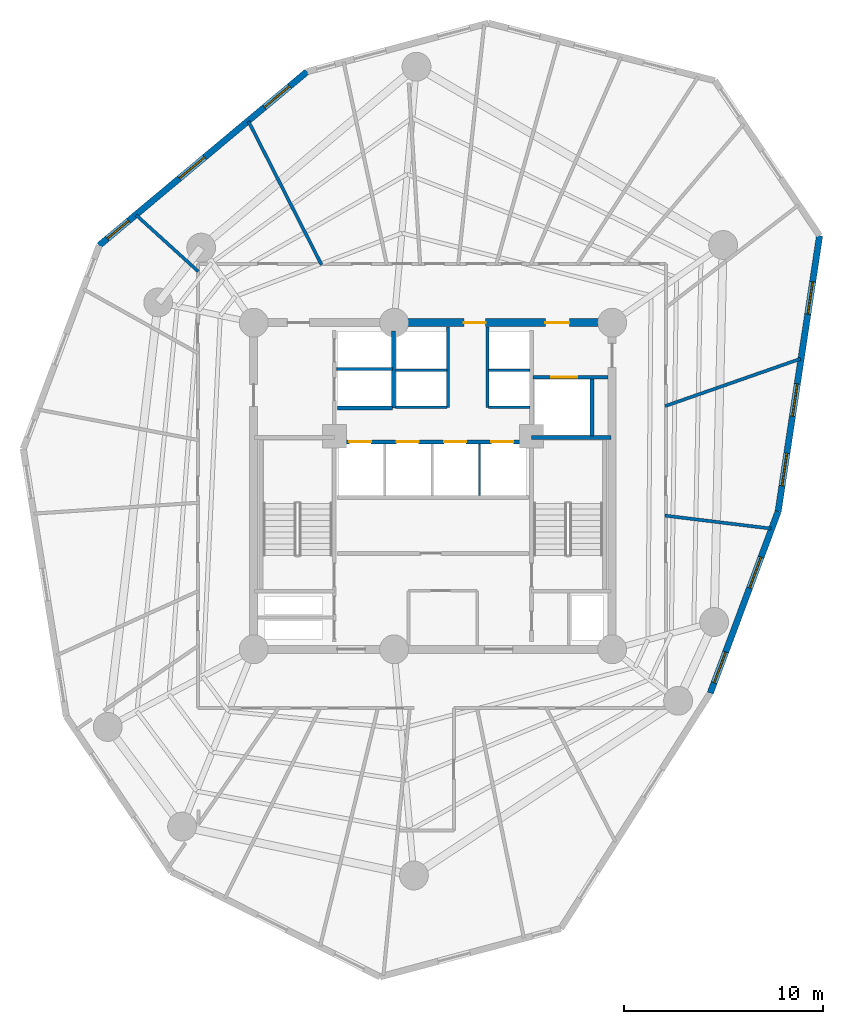
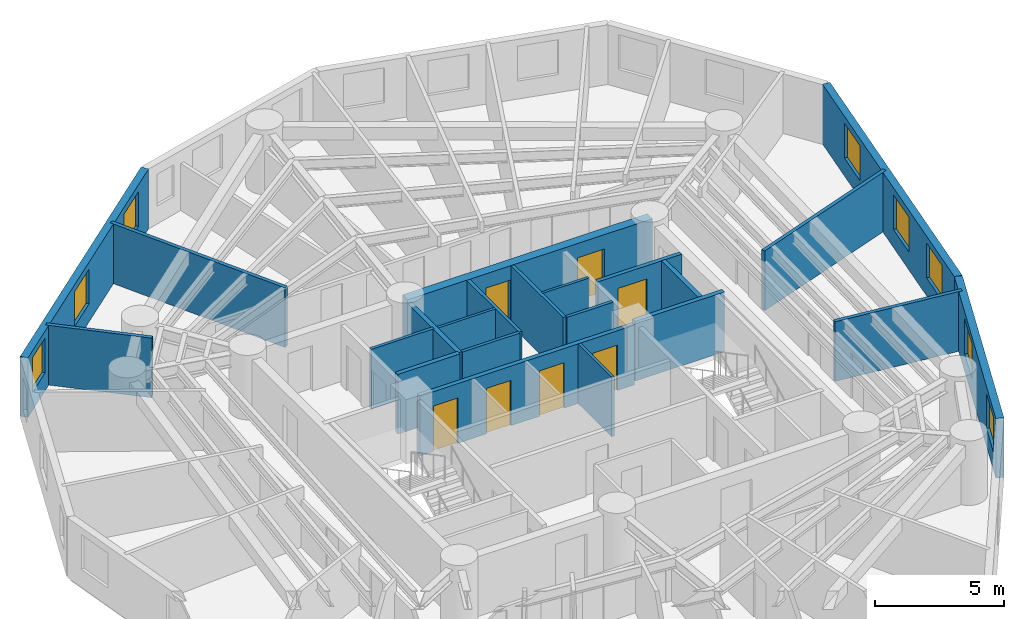
# One storey, part 5 of 7: 22 walls, 8 windows, 7 doors, 15 openings.
"""IFC4 building model written with IfcOpenShell, lengths in metres."""

from ifc_helpers import new_model, si_unit, direction, frame, frame_2d, origin, origin_with_axes, place, context, subcontext, project, spatial, rectangle, extrude, source, transform, mapped, material, layer, layer_set, type_object, element, fill, save


model = new_model("IFC4")

# Units and contexts
model_context = context("Model", 3, precision=1e-05, world=origin(), true_north=direction((0.0, 1.0)))
body_context = subcontext(model_context, "Body", "Model", "MODEL_VIEW")
ifc_project = project(units=[si_unit("LENGTHUNIT", "METRE"), si_unit("AREAUNIT", "SQUARE_METRE"), si_unit("VOLUMEUNIT", "CUBIC_METRE"), si_unit("PLANEANGLEUNIT", "RADIAN"), si_unit("MASSUNIT", "GRAM", prefix="KILO")], contexts=[model_context])

# Site, building, storey
site_placement = place(None, origin())
site = spatial("IfcSite", under=ifc_project, at=site_placement, CompositionType="ELEMENT")
building_placement = place(site_placement, origin())
building = spatial("IfcBuilding", under=site, at=building_placement, Name="Karkom Vertical University and Central Library", CompositionType="ELEMENT")
storey_placement = place(building_placement, frame((0.0, 0.0, 135.85009765625)))
storey = spatial("IfcBuildingStorey", under=building, at=storey_placement, Name="L38", CompositionType="ELEMENT", Elevation=135.85009765625)

# Wall, openings, windows
ifc_material_1 = material(Name="Brick-faced precast concrete C45/55", Category="masonry")
ifc_layer_1 = layer(ifc_material_1, 0.320068359375)
ifc_layer_set_1 = layer_set([ifc_layer_1], Name="Brick-faced precast concrete C45/55")
wall_type_1 = type_object("IfcWallType", Name="ENV-WL-BRK-320", PredefinedType="SOLIDWALL", material=ifc_layer_set_1)
wall_1_placement = place(storey_placement, frame((42.4287109375, 16.102294921875, 0.0), z_axis=(0.0, 0.0, 1.0), x_axis=(0.349878020964, 0.936795266025, 0.0)))
wall_1 = element("IfcWall", 1, at=wall_1_placement, inside=storey, type_object=wall_type_1, Name="Level 38 Brick-Faced Precast Facade Wall 07", PredefinedType="SOLIDWALL", context=body_context, shape_type="SweptSolid", body=[
    extrude(rectangle(XDim=9.734130859375, YDim=0.320068359375, at=frame_2d((4.8671875, 0.0))), origin(), (0.0, 0.0, 1.0), 2.824951171875),
])
opening_1_placement = place(wall_1_placement, frame((0.555419921875, 0.0, 0.85009765625)))
opening_1 = element("IfcOpeningElement", 2, at=opening_1_placement, cuts=wall_1, Name="Opening WN-06", PredefinedType="OPENING", context=body_context, shape_type="SweptSolid", body=[
    extrude(rectangle(XDim=1.64990234375, YDim=1.64990234375, at=frame_2d((0.824951171875, 0.824951171875))), frame((0.0, 0.169921875, 0.0), z_axis=(0.0, -1.0, 0.0), x_axis=(1.0, 0.0, 0.0)), (0.0, 0.0, 1.0), 0.340087890625),
])
opening_2_placement = place(wall_1_placement, frame((5.634033203125, 0.0, 0.85009765625)))
opening_2 = element("IfcOpeningElement", 3, at=opening_2_placement, cuts=wall_1, Name="Opening WN-06", PredefinedType="OPENING", context=body_context, shape_type="SweptSolid", body=[
    extrude(rectangle(XDim=1.64990234375, YDim=1.64990234375, at=frame_2d((0.824951171875, 0.824951171875))), frame((0.0, 0.169921875, 0.0), z_axis=(0.0, -1.0, 0.0), x_axis=(1.0, 0.0, 0.0)), (0.0, 0.0, 1.0), 0.340087890625),
])
ifc_material_2 = material(Name="Aluminium thermal-break frame with solar-control IGU", Category="aluminium")
window_type_1 = type_object("IfcWindowType", Name="ENV-WIN-WN-06", PartitioningType="SINGLE_PANEL", PredefinedType="WINDOW", material=ifc_material_2)
shared_shape_1 = source(origin_with_axes(), body_context, "Body", "SweptSolid", [
    extrude(rectangle(XDim=1.64990234375, YDim=1.64990234375, at=frame_2d((0.824951171875, 0.824951171875))), frame((0.0, 0.030029296875, 0.0), z_axis=(0.0, -1.0, 0.0), x_axis=(1.0, 0.0, 0.0)), (0.0, 0.0, 1.0), 0.06005859375),
])
window_1_placement = place(opening_1_placement, origin())
window_1 = element("IfcWindow", 4, at=window_1_placement, inside=storey, type_object=window_type_1, Name="Level 38 Punched Window 7.1", OverallHeight=1.64990234375, OverallWidth=1.64990234375, PartitioningType="SINGLE_PANEL", PredefinedType="WINDOW", context=body_context, shape_type="MappedRepresentation", body=[
    mapped(shared_shape_1, transform((0.0, 0.0, 0.0), scale=1.0)),
])
fill(opening_1, window_1)
window_2_placement = place(opening_2_placement, origin())
window_2 = element("IfcWindow", 5, at=window_2_placement, inside=storey, type_object=window_type_1, Name="Level 38 Punched Window 7.2", OverallHeight=1.64990234375, OverallWidth=1.64990234375, PartitioningType="SINGLE_PANEL", PredefinedType="WINDOW", context=body_context, shape_type="MappedRepresentation", body=[
    mapped(shared_shape_1, transform((0.0, 0.0, 0.0), scale=1.0)),
])
fill(opening_2, window_2)

wall_2_placement = place(storey_placement, frame((45.83447265625, 25.22119140625, 0.0), z_axis=(0.0, 0.0, 1.0), x_axis=(0.148592768658, 0.988898472596, 0.0)))
wall_2 = element("IfcWall", 6, at=wall_2_placement, inside=storey, type_object=wall_type_1, Name="Level 38 Brick-Faced Precast Facade Wall 08", PredefinedType="SOLIDWALL", context=body_context, shape_type="SweptSolid", body=[
    extrude(rectangle(XDim=14.005126953125, YDim=0.320068359375, at=frame_2d((7.00244140625, 0.0))), origin(), (0.0, 0.0, 1.0), 2.824951171875),
])
opening_3_placement = place(wall_2_placement, frame((1.312255859375, 0.0, 0.85009765625)))
opening_3 = element("IfcOpeningElement", 7, at=opening_3_placement, cuts=wall_2, Name="Opening WN-06", PredefinedType="OPENING", context=body_context, shape_type="SweptSolid", body=[
    extrude(rectangle(XDim=1.64990234375, YDim=1.64990234375, at=frame_2d((0.824951171875, 0.824951171875))), frame((0.0, 0.169921875, 0.0), z_axis=(0.0, -1.0, 0.0), x_axis=(1.0, 0.0, 0.0)), (0.0, 0.0, 1.0), 0.340087890625),
])
opening_4_placement = place(wall_2_placement, frame((4.826904296875, 0.0, 0.85009765625)))
opening_4 = element("IfcOpeningElement", 8, at=opening_4_placement, cuts=wall_2, Name="Opening WN-06", PredefinedType="OPENING", context=body_context, shape_type="SweptSolid", body=[
    extrude(rectangle(XDim=1.64990234375, YDim=1.64990234375, at=frame_2d((0.824951171875, 0.824951171875))), frame((0.0, 0.169921875, 0.0), z_axis=(0.0, -1.0, 0.0), x_axis=(1.0, 0.0, 0.0)), (0.0, 0.0, 1.0), 0.340087890625),
])
opening_5_placement = place(wall_2_placement, frame((10.01220703125, 0.0, 0.85009765625)))
opening_5 = element("IfcOpeningElement", 9, at=opening_5_placement, cuts=wall_2, Name="Opening WN-06", PredefinedType="OPENING", context=body_context, shape_type="SweptSolid", body=[
    extrude(rectangle(XDim=1.64990234375, YDim=1.64990234375, at=frame_2d((0.824951171875, 0.824951171875))), frame((0.0, 0.169921875, 0.0), z_axis=(0.0, -1.0, 0.0), x_axis=(1.0, 0.0, 0.0)), (0.0, 0.0, 1.0), 0.340087890625),
])
window_3_placement = place(opening_3_placement, origin())
window_3 = element("IfcWindow", 10, at=window_3_placement, inside=storey, type_object=window_type_1, Name="Level 38 Punched Window 8.1", OverallHeight=1.64990234375, OverallWidth=1.64990234375, PartitioningType="SINGLE_PANEL", PredefinedType="WINDOW", context=body_context, shape_type="MappedRepresentation", body=[
    mapped(shared_shape_1, transform((0.0, 0.0, 0.0), scale=1.0)),
])
fill(opening_3, window_3)
window_4_placement = place(opening_4_placement, origin())
window_4 = element("IfcWindow", 11, at=window_4_placement, inside=storey, type_object=window_type_1, Name="Level 38 Punched Window 8.2", OverallHeight=1.64990234375, OverallWidth=1.64990234375, PartitioningType="SINGLE_PANEL", PredefinedType="WINDOW", context=body_context, shape_type="MappedRepresentation", body=[
    mapped(shared_shape_1, transform((0.0, 0.0, 0.0), scale=1.0)),
])
fill(opening_4, window_4)
window_5_placement = place(opening_5_placement, origin())
window_5 = element("IfcWindow", 12, at=window_5_placement, inside=storey, type_object=window_type_1, Name="Level 38 Punched Window 8.3", OverallHeight=1.64990234375, OverallWidth=1.64990234375, PartitioningType="SINGLE_PANEL", PredefinedType="WINDOW", context=body_context, shape_type="MappedRepresentation", body=[
    mapped(shared_shape_1, transform((0.0, 0.0, 0.0), scale=1.0)),
])
fill(opening_5, window_5)

wall_3_placement = place(storey_placement, frame((22.18212890625, 47.308349609375, 0.0), z_axis=(0.0, 0.0, 1.0), x_axis=(-0.767264774206, -0.641330465722, 0.0)))
wall_3 = element("IfcWall", 13, at=wall_3_placement, inside=storey, type_object=wall_type_1, Name="Level 38 Brick-Faced Precast Facade Wall 12", PredefinedType="SOLIDWALL", context=body_context, shape_type="SweptSolid", body=[
    extrude(rectangle(XDim=13.611083984375, YDim=0.320068359375, at=frame_2d((6.8056640625, 0.0))), origin(), (0.0, 0.0, 1.0), 2.824951171875),
])
opening_6_placement = place(wall_3_placement, frame((1.13916015625, 0.0, 0.85009765625)))
opening_6 = element("IfcOpeningElement", 14, at=opening_6_placement, cuts=wall_3, Name="Opening WN-06", PredefinedType="OPENING", context=body_context, shape_type="SweptSolid", body=[
    extrude(rectangle(XDim=1.64990234375, YDim=1.64990234375, at=frame_2d((0.824951171875, 0.824951171875))), frame((0.0, 0.169921875, 0.0), z_axis=(0.0, -1.0, 0.0), x_axis=(1.0, 0.0, 0.0)), (0.0, 0.0, 1.0), 0.340087890625),
])
opening_7_placement = place(wall_3_placement, frame((6.710205078125, 0.0, 0.85009765625)))
opening_7 = element("IfcOpeningElement", 15, at=opening_7_placement, cuts=wall_3, Name="Opening WN-06", PredefinedType="OPENING", context=body_context, shape_type="SweptSolid", body=[
    extrude(rectangle(XDim=1.64990234375, YDim=1.64990234375, at=frame_2d((0.824951171875, 0.824951171875))), frame((0.0, 0.169921875, 0.0), z_axis=(0.0, -1.0, 0.0), x_axis=(1.0, 0.0, 0.0)), (0.0, 0.0, 1.0), 0.340087890625),
])
opening_8_placement = place(wall_3_placement, frame((11.676513671875, 0.0, 0.85009765625)))
opening_8 = element("IfcOpeningElement", 16, at=opening_8_placement, cuts=wall_3, Name="Opening WN-07", PredefinedType="OPENING", context=body_context, shape_type="SweptSolid", body=[
    extrude(rectangle(XDim=1.39990234375, YDim=1.64990234375, at=frame_2d((0.699951171875, 0.824951171875))), frame((0.0, 0.169921875, 0.0), z_axis=(0.0, -1.0, 0.0), x_axis=(1.0, 0.0, 0.0)), (0.0, 0.0, 1.0), 0.340087890625),
])
window_6_placement = place(opening_6_placement, origin())
window_6 = element("IfcWindow", 17, at=window_6_placement, inside=storey, type_object=window_type_1, Name="Level 38 Punched Window 12.1", OverallHeight=1.64990234375, OverallWidth=1.64990234375, PartitioningType="SINGLE_PANEL", PredefinedType="WINDOW", context=body_context, shape_type="MappedRepresentation", body=[
    mapped(shared_shape_1, transform((0.0, 0.0, 0.0), scale=1.0)),
])
fill(opening_6, window_6)
window_7_placement = place(opening_7_placement, origin())
window_7 = element("IfcWindow", 18, at=window_7_placement, inside=storey, type_object=window_type_1, Name="Level 38 Punched Window 12.2", OverallHeight=1.64990234375, OverallWidth=1.64990234375, PartitioningType="SINGLE_PANEL", PredefinedType="WINDOW", context=body_context, shape_type="MappedRepresentation", body=[
    mapped(shared_shape_1, transform((0.0, 0.0, 0.0), scale=1.0)),
])
fill(opening_7, window_7)
window_type_2 = type_object("IfcWindowType", Name="ENV-WIN-WN-07", PartitioningType="SINGLE_PANEL", PredefinedType="WINDOW", material=ifc_material_2)
shared_shape_2 = source(origin_with_axes(), body_context, "Body", "SweptSolid", [
    extrude(rectangle(XDim=1.39990234375, YDim=1.64990234375, at=frame_2d((0.699951171875, 0.824951171875))), frame((0.0, 0.030029296875, 0.0), z_axis=(0.0, -1.0, 0.0), x_axis=(1.0, 0.0, 0.0)), (0.0, 0.0, 1.0), 0.06005859375),
])
window_8_placement = place(opening_8_placement, origin())
window_8 = element("IfcWindow", 19, at=window_8_placement, inside=storey, type_object=window_type_2, Name="Level 38 Punched Window 12.3", OverallHeight=1.64990234375, OverallWidth=1.39990234375, PartitioningType="SINGLE_PANEL", PredefinedType="WINDOW", context=body_context, shape_type="MappedRepresentation", body=[
    mapped(shared_shape_2, transform((0.0, 0.0, 0.0), scale=1.0)),
])
fill(opening_8, window_8)

# Walls
ifc_material_3 = material(Name="Insulated metal-stud drywall 160mm", Category="gypsum")
ifc_layer_2 = layer(ifc_material_3, 0.159912109375)
ifc_layer_set_2 = layer_set([ifc_layer_2], Name="Insulated metal-stud drywall 160mm")
wall_type_2 = type_object("IfcWallType", Name="INT-WL-COR-160", PredefinedType="PARTITIONING", material=ifc_layer_set_2)
wall_4_placement = place(storey_placement, frame((22.906494140625, 37.60986328125, 0.0), z_axis=(0.0, 0.0, 1.0), x_axis=(-0.453966502596, 0.891018750937, 0.0)))
element("IfcWall", 20, at=wall_4_placement, inside=storey, type_object=wall_type_2, Name="Level 38 Interior Partition Wall L38-PW-024", PredefinedType="PARTITIONING", context=body_context, shape_type="SweptSolid", body=[
    extrude(rectangle(XDim=8.0830078125, YDim=0.159912109375, at=frame_2d((4.04150390625, 0.0))), origin(), (0.0, 0.0, 1.0), 2.824951171875),
])
wall_5_placement = place(storey_placement, frame((40.157470703125, 30.5107421875, 0.0), z_axis=(0.0, 0.0, 1.0), x_axis=(0.94400207615, 0.329939509946, 0.0)))
element("IfcWall", 21, at=wall_5_placement, inside=storey, type_object=wall_type_2, Name="Level 38 Interior Partition Wall L38-PW-014", PredefinedType="PARTITIONING", context=body_context, shape_type="SweptSolid", body=[
    extrude(rectangle(XDim=7.198974609375, YDim=0.159912109375, at=frame_2d((3.599609375, 0.0))), origin(), (0.0, 0.0, 1.0), 2.824951171875),
])
wall_6_placement = place(storey_placement, frame((40.1552734375, 25.012939453125, 0.0), z_axis=(0.0, 0.0, 1.0), x_axis=(0.992591537603, -0.121499133651, 0.0)))
element("IfcWall", 22, at=wall_6_placement, inside=storey, type_object=wall_type_2, Name="Level 38 Interior Partition Wall L38-PW-013", PredefinedType="PARTITIONING", context=body_context, shape_type="SweptSolid", body=[
    extrude(rectangle(XDim=5.369140625, YDim=0.159912109375, at=frame_2d((2.6845703125, 0.0))), origin(), (0.0, 0.0, 1.0), 2.824951171875),
])
wall_7_placement = place(storey_placement, frame((16.72216796875, 37.268310546875, 0.0), z_axis=(0.0, 0.0, 1.0), x_axis=(-0.740555502335, 0.671995199359, 0.0)))
element("IfcWall", 23, at=wall_7_placement, inside=storey, type_object=wall_type_2, Name="Level 38 Interior Partition Wall L38-PW-025", PredefinedType="PARTITIONING", context=body_context, shape_type="SweptSolid", body=[
    extrude(rectangle(XDim=4.216064453125, YDim=0.159912109375, at=frame_2d((2.10791015625, 0.0))), origin(), (0.0, 0.0, 1.0), 2.824951171875),
])
ifc_material_4 = material(Name="Moisture-resistant drywall 120mm", Category="gypsum")
ifc_layer_3 = layer(ifc_material_4, 0.1201171875)
ifc_layer_set_3 = layer_set([ifc_layer_3], Name="Moisture-resistant drywall 120mm")
wall_type_3 = type_object("IfcWallType", Name="INT-WL-INT-120H", PredefinedType="PARTITIONING", material=ifc_layer_set_3)
wall_8_placement = place(storey_placement, frame((30.840087890625, 26.02001953125, 0.0), z_axis=(0.0, 0.0, 1.0), x_axis=(0.0, 1.0, 0.0)))
element("IfcWall", 24, at=wall_8_placement, inside=storey, type_object=wall_type_3, Name="Level 38 Interior Partition Wall L38-CW-PM-DIV3", PredefinedType="PARTITIONING", context=body_context, shape_type="SweptSolid", body=[
    extrude(rectangle(XDim=2.60009765625, YDim=0.1201171875, at=frame_2d((1.300048828125, 0.0))), origin(), (0.0, 0.0, 1.0), 2.824951171875),
])
wall_9_placement = place(storey_placement, frame((26.6201171875, 32.320068359375, 0.0), z_axis=(0.0, 0.0, 1.0), x_axis=(1.0, 0.0, 0.0)))
element("IfcWall", 25, at=wall_9_placement, inside=storey, type_object=wall_type_3, Name="Level 38 Interior Partition Wall L38-CW-PH-MW", PredefinedType="PARTITIONING", context=body_context, shape_type="SweptSolid", body=[
    extrude(rectangle(XDim=2.579833984375, YDim=0.1201171875, at=frame_2d((1.2900390625, 0.0))), origin(), (0.0, 0.0, 1.0), 2.824951171875),
])
wall_10_placement = place(storey_placement, frame((31.300048828125, 32.320068359375, 0.0), z_axis=(0.0, 0.0, 1.0), x_axis=(1.0, 0.0, 0.0)))
element("IfcWall", 26, at=wall_10_placement, inside=storey, type_object=wall_type_3, Name="Level 38 Interior Partition Wall L38-CW-PH-ME", PredefinedType="PARTITIONING", context=body_context, shape_type="SweptSolid", body=[
    extrude(rectangle(XDim=2.074951171875, YDim=0.1201171875, at=frame_2d((1.03759765625, 0.0))), origin(), (0.0, 0.0, 1.0), 2.824951171875),
])
ifc_material_5 = material(Name="Metal-stud gypsum partition 140mm", Category="gypsum")
ifc_layer_4 = layer(ifc_material_5, 0.139892578125)
ifc_layer_set_4 = layer_set([ifc_layer_4], Name="Metal-stud gypsum partition 140mm")
wall_type_4 = type_object("IfcWallType", Name="INT-WL-SUB-140H", PredefinedType="PARTITIONING", material=ifc_layer_set_4)
for number, where, z_axis, x_axis, name in (
    (27, (29.260009765625, 30.449951171875, 0.0), (0.0, 0.0, 1.0), (0.0, 1.0, 0.0), "Level 38 Interior Partition Wall L38-CW-PH-W"),
    (28, (31.239990234375, 30.449951171875, 0.0), (0.0, 0.0, 1.0), (0.0, 1.0, 0.0), "Level 38 Interior Partition Wall L38-CW-PH-E"),
):
    element("IfcWall", number, at=place(storey_placement, frame(where, z_axis=z_axis, x_axis=x_axis)), inside=storey, type_object=wall_type_4, Name=name, PredefinedType="PARTITIONING", context=body_context, shape_type="SweptSolid", body=[
        extrude(rectangle(XDim=4.04296875, YDim=0.139892578125, at=frame_2d((2.021484375, 0.0))), origin(), (0.0, 0.0, 1.0), 2.824951171875),
    ])
wall_11_placement = place(storey_placement, frame((26.6201171875, 30.449951171875, 0.0), z_axis=(0.0, 0.0, 1.0), x_axis=(1.0, 0.0, 0.0)))
element("IfcWall", 29, at=wall_11_placement, inside=storey, type_object=wall_type_4, Name="Level 38 Interior Partition Wall L38-CW-PH-S1", PredefinedType="PARTITIONING", context=body_context, shape_type="SweptSolid", body=[
    extrude(rectangle(XDim=2.579833984375, YDim=0.139892578125, at=frame_2d((1.2900390625, 0.0))), origin(), (0.0, 0.0, 1.0), 2.824951171875),
])
wall_12_placement = place(storey_placement, frame((31.300048828125, 30.449951171875, 0.0), z_axis=(0.0, 0.0, 1.0), x_axis=(1.0, 0.0, 0.0)))
element("IfcWall", 30, at=wall_12_placement, inside=storey, type_object=wall_type_4, Name="Level 38 Interior Partition Wall L38-CW-PH-S2", PredefinedType="PARTITIONING", context=body_context, shape_type="SweptSolid", body=[
    extrude(rectangle(XDim=2.074951171875, YDim=0.139892578125, at=frame_2d((1.03759765625, 0.0))), origin(), (0.0, 0.0, 1.0), 2.824951171875),
])
ifc_layer_5 = layer(ifc_material_5, 0.139892578125)
ifc_layer_set_5 = layer_set([ifc_layer_5], Name="Metal-stud gypsum partition 140mm")
wall_type_5 = type_object("IfcWallType", Name="INT-WL-SUB-140X", PredefinedType="PARTITIONING", material=ifc_layer_set_5)
wall_13_placement = place(storey_placement, frame((23.652099609375, 32.3701171875, 0.0), z_axis=(0.0, 0.0, 1.0), x_axis=(1.0, 0.0, 0.0)))
element("IfcWall", 31, at=wall_13_placement, inside=storey, type_object=wall_type_5, Name="Level 38 Interior Partition Wall L38-CW-FFL-M", PredefinedType="PARTITIONING", context=body_context, shape_type="SweptSolid", body=[
    extrude(rectangle(XDim=2.827880859375, YDim=0.139892578125, at=frame_2d((1.4140625, 0.0))), origin(), (0.0, 0.0, 1.0), 2.824951171875),
])

# Wall, opening, door
ifc_material_6 = material(Name="Twin-stud acoustic drywall 180mm", Category="gypsum")
ifc_layer_6 = layer(ifc_material_6, 0.179931640625)
ifc_layer_set_6 = layer_set([ifc_layer_6], Name="Twin-stud acoustic drywall 180mm")
wall_type_6 = type_object("IfcWallType", Name="INT-WL-TEN-180F", PredefinedType="PARTITIONING", material=ifc_layer_set_6)
wall_14_placement = place(storey_placement, frame((33.534912109375, 31.949951171875, 0.0), z_axis=(0.0, 0.0, 1.0), x_axis=(1.0, 0.0, 0.0)))
wall_14 = element("IfcWall", 32, at=wall_14_placement, inside=storey, type_object=wall_type_6, Name="Level 38 Interior Partition Wall L38-CW-SVL-N", PredefinedType="PARTITIONING", context=body_context, shape_type="SweptSolid", body=[
    extrude(rectangle(XDim=3.7587890625, YDim=0.179931640625, at=frame_2d((1.87939453125, 0.0))), origin(), (0.0, 0.0, 1.0), 2.824951171875),
])
opening_9_placement = place(wall_14_placement, frame((0.89990234375, 0.0, 0.0)))
opening_9 = element("IfcOpeningElement", 33, at=opening_9_placement, cuts=wall_14, Name="Opening LD-SV1", PredefinedType="OPENING", context=body_context, shape_type="SweptSolid", body=[
    extrude(rectangle(XDim=1.300048828125, YDim=2.199951171875, at=frame_2d((0.64990234375, 1.10009765625))), frame((0.0, 0.10009765625, 0.0), z_axis=(0.0, -1.0, 0.0), x_axis=(1.0, 0.0, 0.0)), (0.0, 0.0, 1.0), 0.199951171875),
])
ifc_material_7 = material(Name="Brushed stainless-steel landing door", Category="steel")
door_type_1 = type_object("IfcDoorType", Name="INT-DR-LD-SV1", OperationType="SLIDING_TO_LEFT", PredefinedType="DOOR", material=ifc_material_7)
shared_shape_3 = source(origin_with_axes(), body_context, "Body", "SweptSolid", [
    extrude(rectangle(XDim=1.300048828125, YDim=2.199951171875, at=frame_2d((0.64990234375, 1.10009765625))), frame((0.0, 0.02490234375, 0.0), z_axis=(0.0, -1.0, 0.0), x_axis=(1.0, 0.0, 0.0)), (0.0, 0.0, 1.0), 0.050048828125),
])
door_1_placement = place(opening_9_placement, origin())
door_1 = element("IfcDoor", 34, at=door_1_placement, inside=storey, type_object=door_type_1, Name="Level 38 Service Lift Landing Door LD-SV1", OperationType="SLIDING_TO_LEFT", OverallHeight=2.199951171875, OverallWidth=1.300048828125, PredefinedType="DOOR", context=body_context, shape_type="MappedRepresentation", body=[
    mapped(shared_shape_3, transform((0.0, 0.0, 0.0), scale=1.0)),
])
fill(opening_9, door_1)

# Wall, openings, doors
ifc_material_8 = material(Name="Concrete C50/60", Category="concrete")
ifc_layer_7 = layer(ifc_material_8, 0.39990234375)
ifc_layer_set_7 = layer_set([ifc_layer_7], Name="Concrete C50/60")
wall_type_7 = type_object("IfcWallType", Name="STR-WL-CW-400", PredefinedType="SHEAR", material=ifc_layer_set_7)
wall_15_placement = place(storey_placement, frame((37.5, 34.699951171875, 0.0), z_axis=(0.0, 0.0, 1.0), x_axis=(-1.0, 0.0, 0.0)))
wall_15 = element("IfcWall", 35, at=wall_15_placement, inside=storey, type_object=wall_type_7, Name="Level 38 Central Core Shear Wall NW1", PredefinedType="SHEAR", context=body_context, shape_type="SweptSolid", body=[
    extrude(rectangle(XDim=10.949951171875, YDim=0.39990234375, at=frame_2d((5.47509765625, 0.0))), origin(), (0.0, 0.0, 1.0), 2.824951171875),
])
opening_10_placement = place(wall_15_placement, frame((2.14990234375, 0.0, 0.0)))
opening_10 = element("IfcOpeningElement", 36, at=opening_10_placement, cuts=wall_15, Name="Opening FD-SUB1", PredefinedType="OPENING", context=body_context, shape_type="SweptSolid", body=[
    extrude(rectangle(XDim=1.199951171875, YDim=2.14990234375, at=frame_2d((0.60009765625, 1.074951171875))), frame((0.0, 0.2099609375, 0.0), z_axis=(0.0, -1.0, 0.0), x_axis=(1.0, 0.0, 0.0)), (0.0, 0.0, 1.0), 0.419921875),
])
opening_11_placement = place(wall_15_placement, frame((6.35009765625, 0.0, 0.0)))
opening_11 = element("IfcOpeningElement", 37, at=opening_11_placement, cuts=wall_15, Name="Opening FD-FFL", PredefinedType="OPENING", context=body_context, shape_type="SweptSolid", body=[
    extrude(rectangle(XDim=1.10009765625, YDim=2.14990234375, at=frame_2d((0.550048828125, 1.074951171875))), frame((0.0, 0.2099609375, 0.0), z_axis=(0.0, -1.0, 0.0), x_axis=(1.0, 0.0, 0.0)), (0.0, 0.0, 1.0), 0.419921875),
])
ifc_material_9 = material(Name="Painted steel smoke-seal fire door", Category="steel")
door_type_2 = type_object("IfcDoorType", Name="INT-DR-FFL", OperationType="NOTDEFINED", PredefinedType="DOOR", material=ifc_material_9)
shared_shape_4 = source(origin_with_axes(), body_context, "Body", "SweptSolid", [
    extrude(rectangle(XDim=1.10009765625, YDim=2.14990234375, at=frame_2d((0.550048828125, 1.074951171875))), frame((0.0, 0.02490234375, 0.0), z_axis=(0.0, -1.0, 0.0), x_axis=(1.0, 0.0, 0.0)), (0.0, 0.0, 1.0), 0.050048828125),
])
door_2_placement = place(opening_11_placement, origin())
door_2 = element("IfcDoor", 38, at=door_2_placement, inside=storey, type_object=door_type_2, Name="Level 38 North Core Lobby Exit Door", OperationType="SINGLE_SWING_RIGHT", OverallHeight=2.14990234375, OverallWidth=1.10009765625, PredefinedType="DOOR", context=body_context, shape_type="MappedRepresentation", body=[
    mapped(shared_shape_4, transform((0.0, 0.0, 0.0), scale=1.0)),
])
fill(opening_11, door_2)
ifc_material_10 = material(Name="Painted steel fire door", Category="steel")
door_type_3 = type_object("IfcDoorType", Name="INT-DR-SUB1", OperationType="NOTDEFINED", PredefinedType="DOOR", material=ifc_material_10)
shared_shape_5 = source(origin_with_axes(), body_context, "Body", "SweptSolid", [
    extrude(rectangle(XDim=1.199951171875, YDim=2.14990234375, at=frame_2d((0.60009765625, 1.074951171875))), frame((0.0, 0.02490234375, 0.0), z_axis=(0.0, -1.0, 0.0), x_axis=(1.0, 0.0, 0.0)), (0.0, 0.0, 1.0), 0.050048828125),
])
door_3_placement = place(opening_10_placement, origin())
door_3 = element("IfcDoor", 39, at=door_3_placement, inside=storey, type_object=door_type_3, Name="Level 38 Service Lobby Fire Door", OperationType="SINGLE_SWING_RIGHT", OverallHeight=2.14990234375, OverallWidth=1.199951171875, PredefinedType="DOOR", context=body_context, shape_type="MappedRepresentation", body=[
    mapped(shared_shape_5, transform((0.0, 0.0, 0.0), scale=1.0)),
])
fill(opening_10, door_3)

ifc_material_11 = material(Name="Concrete C45/55", Category="concrete")
ifc_layer_8 = layer(ifc_material_11, 0.199951171875)
ifc_layer_set_8 = layer_set([ifc_layer_8], Name="Concrete C45/55")
wall_type_8 = type_object("IfcWallType", Name="STR-WL-ST-200", PredefinedType="SHEAR", material=ifc_layer_set_8)
wall_16_placement = place(storey_placement, frame((23.699951171875, 28.719970703125, 0.0), z_axis=(0.0, 0.0, 1.0), x_axis=(1.0, 0.0, 0.0)))
wall_16 = element("IfcWall", 40, at=wall_16_placement, inside=storey, type_object=wall_type_8, Name="Level 38 Core Shaft Wall L38-CW-B2-N", PredefinedType="SHEAR", context=body_context, shape_type="SweptSolid", body=[
    extrude(rectangle(XDim=9.60009765625, YDim=0.199951171875, at=frame_2d((4.800048828125, 0.0))), origin(), (0.0, 0.0, 1.0), 2.824951171875),
])
opening_12_placement = place(wall_16_placement, frame((0.60009765625, 0.0, 0.0)))
opening_12 = element("IfcOpeningElement", 41, at=opening_12_placement, cuts=wall_16, Name="Opening LD-PAX", PredefinedType="OPENING", context=body_context, shape_type="SweptSolid", body=[
    extrude(rectangle(XDim=1.10009765625, YDim=2.14990234375, at=frame_2d((0.550048828125, 1.074951171875))), frame((0.0, 0.10986328125, 0.0), z_axis=(0.0, -1.0, 0.0), x_axis=(1.0, 0.0, 0.0)), (0.0, 0.0, 1.0), 0.219970703125),
])
opening_13_placement = place(wall_16_placement, frame((2.97998046875, 0.0, 0.0)))
opening_13 = element("IfcOpeningElement", 42, at=opening_13_placement, cuts=wall_16, Name="Opening LD-PAX", PredefinedType="OPENING", context=body_context, shape_type="SweptSolid", body=[
    extrude(rectangle(XDim=1.10009765625, YDim=2.14990234375, at=frame_2d((0.550048828125, 1.074951171875))), frame((0.0, 0.10986328125, 0.0), z_axis=(0.0, -1.0, 0.0), x_axis=(1.0, 0.0, 0.0)), (0.0, 0.0, 1.0), 0.219970703125),
])
opening_14_placement = place(wall_16_placement, frame((5.360107421875, 0.0, 0.0)))
opening_14 = element("IfcOpeningElement", 43, at=opening_14_placement, cuts=wall_16, Name="Opening LD-PAX", PredefinedType="OPENING", context=body_context, shape_type="SweptSolid", body=[
    extrude(rectangle(XDim=1.10009765625, YDim=2.14990234375, at=frame_2d((0.550048828125, 1.074951171875))), frame((0.0, 0.10986328125, 0.0), z_axis=(0.0, -1.0, 0.0), x_axis=(1.0, 0.0, 0.0)), (0.0, 0.0, 1.0), 0.219970703125),
])
opening_15_placement = place(wall_16_placement, frame((7.739990234375, 0.0, 0.0)))
opening_15 = element("IfcOpeningElement", 44, at=opening_15_placement, cuts=wall_16, Name="Opening LD-PAX", PredefinedType="OPENING", context=body_context, shape_type="SweptSolid", body=[
    extrude(rectangle(XDim=1.10009765625, YDim=2.14990234375, at=frame_2d((0.550048828125, 1.074951171875))), frame((0.0, 0.10986328125, 0.0), z_axis=(0.0, -1.0, 0.0), x_axis=(1.0, 0.0, 0.0)), (0.0, 0.0, 1.0), 0.219970703125),
])
door_type_4 = type_object("IfcDoorType", Name="INT-DR-LD-PAX", OperationType="SLIDING_TO_LEFT", PredefinedType="DOOR", material=ifc_material_7)
door_4_placement = place(opening_12_placement, origin())
door_4 = element("IfcDoor", 45, at=door_4_placement, inside=storey, type_object=door_type_4, Name="Level 38 Lift PM-1 Landing Door", OperationType="SLIDING_TO_LEFT", OverallHeight=2.14990234375, OverallWidth=1.10009765625, PredefinedType="DOOR", context=body_context, shape_type="MappedRepresentation", body=[
    mapped(shared_shape_4, transform((0.0, 0.0, 0.0), scale=1.0)),
])
fill(opening_12, door_4)
door_5_placement = place(opening_13_placement, origin())
door_5 = element("IfcDoor", 46, at=door_5_placement, inside=storey, type_object=door_type_4, Name="Level 38 Lift PM-2 Landing Door", OperationType="SLIDING_TO_RIGHT", OverallHeight=2.14990234375, OverallWidth=1.10009765625, PredefinedType="DOOR", context=body_context, shape_type="MappedRepresentation", body=[
    mapped(shared_shape_4, transform((0.0, 0.0, 0.0), scale=1.0)),
])
fill(opening_13, door_5)
door_6_placement = place(opening_14_placement, origin())
door_6 = element("IfcDoor", 47, at=door_6_placement, inside=storey, type_object=door_type_4, Name="Level 38 Lift PM-3 Landing Door", OperationType="SLIDING_TO_LEFT", OverallHeight=2.14990234375, OverallWidth=1.10009765625, PredefinedType="DOOR", context=body_context, shape_type="MappedRepresentation", body=[
    mapped(shared_shape_4, transform((0.0, 0.0, 0.0), scale=1.0)),
])
fill(opening_14, door_6)
door_7_placement = place(opening_15_placement, origin())
door_7 = element("IfcDoor", 48, at=door_7_placement, inside=storey, type_object=door_type_4, Name="Level 38 Lift PM-4 Landing Door", OperationType="SLIDING_TO_RIGHT", OverallHeight=2.14990234375, OverallWidth=1.10009765625, PredefinedType="DOOR", context=body_context, shape_type="MappedRepresentation", body=[
    mapped(shared_shape_4, transform((0.0, 0.0, 0.0), scale=1.0)),
])
fill(opening_15, door_7)

# Walls
wall_17_placement = place(storey_placement, frame((33.455078125, 28.925048828125, 0.0), z_axis=(0.0, 0.0, 1.0), x_axis=(1.0, 0.0, 0.0)))
element("IfcWall", 49, at=wall_17_placement, inside=storey, type_object=wall_type_8, Name="Level 38 Core Shaft Wall L38-CW-ST2-N", PredefinedType="SHEAR", context=body_context, shape_type="SweptSolid", body=[
    extrude(rectangle(XDim=3.994873046875, YDim=0.199951171875, at=frame_2d((1.99755859375, 0.0))), origin(), (0.0, 0.0, 1.0), 2.824951171875),
])
wall_18_placement = place(storey_placement, frame((26.52001953125, 30.419921875, 0.0), z_axis=(0.0, 0.0, 1.0), x_axis=(0.0, 1.0, 0.0)))
element("IfcWall", 50, at=wall_18_placement, inside=storey, type_object=wall_type_8, Name="Level 38 Core Shaft Wall L38-CW-FFL-E", PredefinedType="SHEAR", context=body_context, shape_type="SweptSolid", body=[
    extrude(rectangle(XDim=3.860107421875, YDim=0.199951171875, at=frame_2d((1.93017578125, 0.0))), origin(), (0.0, 0.0, 1.0), 2.824951171875),
])
wall_19_placement = place(storey_placement, frame((36.47998046875, 29.02001953125, 0.0), z_axis=(0.0, 0.0, 1.0), x_axis=(0.0, 1.0, 0.0)))
element("IfcWall", 51, at=wall_19_placement, inside=storey, type_object=wall_type_8, Name="Level 38 Core Shaft Wall L38-CW-SVL-E", PredefinedType="SHEAR", context=body_context, shape_type="SweptSolid", body=[
    extrude(rectangle(XDim=2.85986328125, YDim=0.199951171875, at=frame_2d((1.429931640625, 0.0))), origin(), (0.0, 0.0, 1.0), 2.824951171875),
])
wall_20_placement = place(storey_placement, frame((23.699951171875, 30.419921875, 0.0), z_axis=(0.0, 0.0, 1.0), x_axis=(1.0, 0.0, 0.0)))
element("IfcWall", 52, at=wall_20_placement, inside=storey, type_object=wall_type_8, Name="Level 38 Core Shaft Wall L38-CW-FFL-S", PredefinedType="SHEAR", context=body_context, shape_type="SweptSolid", body=[
    extrude(rectangle(XDim=2.780029296875, YDim=0.199951171875, at=frame_2d((1.39013671875, 0.0))), origin(), (0.0, 0.0, 1.0), 2.824951171875),
])

save(model, "model.ifc")
